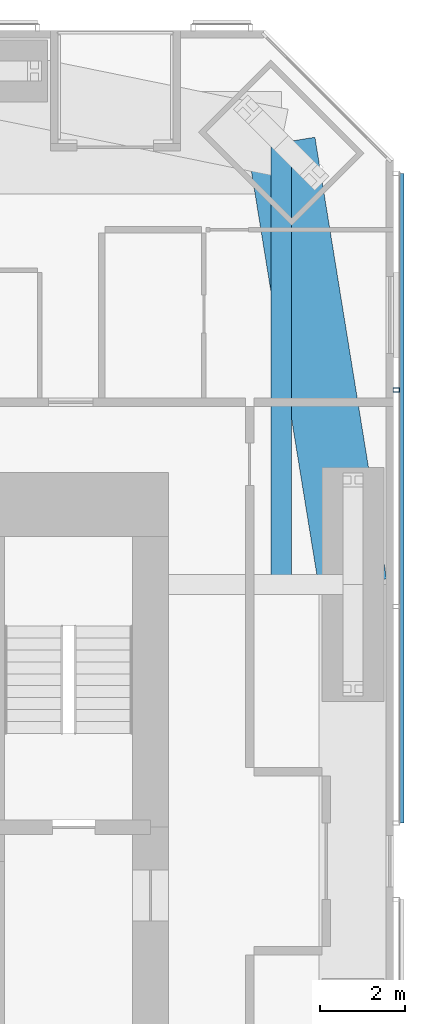
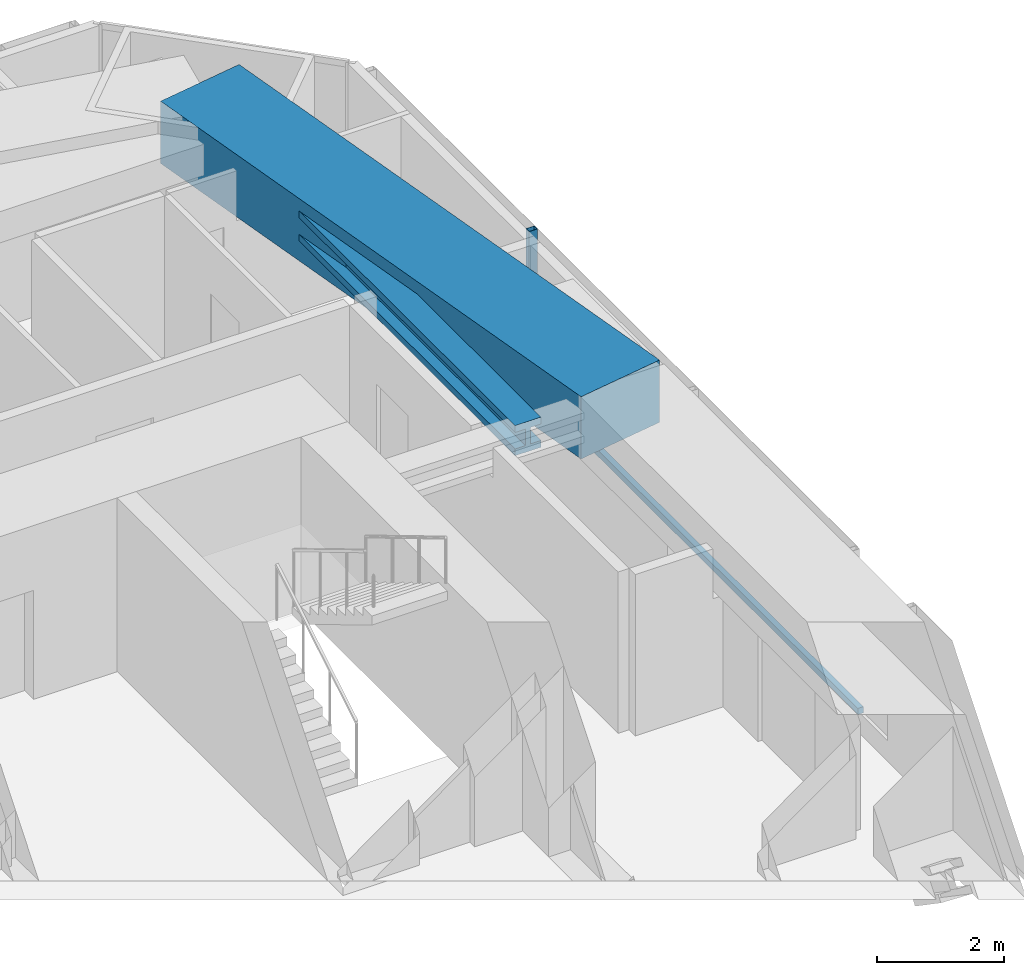
# One storey, part 10 of 23: 2 beams, 2 members, 1 element without a shape of its own.
"""IFC4 building model written with IfcOpenShell, lengths in metres."""

from ifc_helpers import new_model, si_unit, direction, frame, origin, origin_2d, place, context, subcontext, project, spatial, rectangle, hollow_rectangle, i_section, extrude, material, material_profile, profile_set, type_object, element, aggregate, save


model = new_model("IFC4")

# Units and contexts
model_context = context("Model", 3, precision=1e-05, world=origin(), true_north=direction((0.0, 1.0)))
body_context = subcontext(model_context, "Body", "Model", "MODEL_VIEW")
ifc_project = project(units=[si_unit("LENGTHUNIT", "METRE"), si_unit("AREAUNIT", "SQUARE_METRE"), si_unit("VOLUMEUNIT", "CUBIC_METRE"), si_unit("PLANEANGLEUNIT", "RADIAN"), si_unit("MASSUNIT", "GRAM", prefix="KILO")], contexts=[model_context])

# Site, building, storey
site_placement = place(None, origin())
site = spatial("IfcSite", under=ifc_project, at=site_placement, CompositionType="ELEMENT")
building_placement = place(site_placement, origin())
building = spatial("IfcBuilding", under=site, at=building_placement, Name="Jalousie Tower", CompositionType="ELEMENT")
storey_placement = place(building_placement, frame((0.0, 0.0, 88.10009765625)))
storey = spatial("IfcBuildingStorey", under=building, at=storey_placement, Name="L23", CompositionType="ELEMENT", Elevation=88.10009765625)

# Beams
ifc_material_1 = material(Name="Steel ASTM A992 Grade 50", Category="steel")
ifc_material_profile_1 = material_profile(ifc_material_1, i_section(OverallWidth=0.472412109375, OverallDepth=0.5791015625, WebThickness=0.094970703125, FlangeThickness=0.1298828125, at=origin_2d()), Name="W14X808")
ifc_profile_set_1 = profile_set([ifc_material_profile_1], Name="Steel ASTM A992 Grade 50")
beam_type_1 = type_object("IfcBeamType", Name="LEAN COLLECTOR W14X808", PredefinedType="BEAM", material=ifc_profile_set_1)
beam_1_placement = place(storey_placement, frame((46.86865234375, 35.36865234375, 2.8203125), z_axis=(0.0, -1.0, 0.0), x_axis=(1.0, 0.0, 0.0)))
element("IfcBeam", 1, at=beam_1_placement, inside=storey, type_object=beam_type_1, Name="Lean collector under L24", PredefinedType="BEAM", context=body_context, shape_type="SweptSolid", body=[
    extrude(i_section(OverallWidth=0.472412109375, OverallDepth=0.5791015625, WebThickness=0.094970703125, FlangeThickness=0.1298828125, at=origin_2d()), origin(), (0.0, 0.0, 1.0), 10.36865234375),
])
ifc_material_2 = material(Name="Concrete f'c 40 MPa", Category="concrete")
ifc_material_profile_2 = material_profile(ifc_material_2, rectangle(XDim=1.60009765625, YDim=1.199951171875, at=origin_2d()), Name="RC 1600x1200")
ifc_profile_set_2 = profile_set([ifc_material_profile_2], Name="Concrete f'c 40 MPa")
beam_type_2 = type_object("IfcBeamType", Name="RC BEAM 1600x1200", PredefinedType="BEAM", material=ifc_profile_set_2)
beam_2_placement = place(storey_placement, frame((48.550048828125, 25.0, 2.75), z_axis=(-0.160070546476, 0.987105577003, 0.0), x_axis=(-0.987105577003, -0.160070546476, 0.0)))
element("IfcBeam", 2, at=beam_2_placement, inside=storey, type_object=beam_type_2, Name="Edge band beam 07-08 under L24", PredefinedType="BEAM", context=body_context, shape_type="SweptSolid", body=[
    extrude(rectangle(XDim=1.60009765625, YDim=1.199951171875, at=origin_2d()), origin(), (0.0, 0.0, 1.0), 10.504150390625),
])

# Curtain wall, members
ifc_material_3 = material(Name="Perforated aluminium sheet", Category="aluminium")
curtain_wall_type = type_object("IfcCurtainWallType", Name="SOLAR SCREEN SS-1", PredefinedType="USERDEFINED", material=ifc_material_3)
curtain_wall_placement = place(storey_placement, origin())
curtain_wall = element("IfcCurtainWall", 3, at=curtain_wall_placement, inside=storey, type_object=curtain_wall_type, Name="Solar screen L23", ObjectType="SOLAR SCREEN SS-1", PredefinedType="USERDEFINED")
ifc_material_4 = material(Name="Steel ASTM A500 Grade C", Category="steel")
ifc_material_profile_3 = material_profile(ifc_material_4, hollow_rectangle(XDim=0.1015625, YDim=0.15234375, WallThickness=0.00634765625, at=origin_2d()), Name="HSS6X4X1/4")
ifc_profile_set_3 = profile_set([ifc_material_profile_3], Name="Steel ASTM A500 Grade C")
member_type_1 = type_object("IfcMemberType", Name="SOLAR SCREEN SS-1 MULLION", PredefinedType="MULLION", material=ifc_profile_set_3)
member_1_placement = place(storey_placement, frame((49.5712890625, 29.56591796875, -0.1201171875), z_axis=(0.0, 0.0, 1.0), x_axis=(0.0, 1.0, 0.0)))
member_1 = element("IfcMember", 4, at=member_1_placement, type_object=member_type_1, Name="SS1 post 3", PredefinedType="MULLION", context=body_context, shape_type="SweptSolid", body=[
    extrude(hollow_rectangle(XDim=0.1015625, YDim=0.15234375, WallThickness=0.00634765625, at=origin_2d()), origin(), (0.0, 0.0, 1.0), 3.22998046875),
])
ifc_material_5 = material(Name="Extruded aluminium screen rail", Category="aluminium")
ifc_material_profile_4 = material_profile(ifc_material_5, rectangle(XDim=0.1015625, YDim=0.1201171875, at=origin_2d()), Name="RAIL 102x120")
ifc_profile_set_4 = profile_set([ifc_material_profile_4], Name="Extruded aluminium screen rail")
member_type_2 = type_object("IfcMemberType", Name="SOLAR SCREEN SS-1 TRANSOM", PredefinedType="USERDEFINED", material=ifc_profile_set_4)
member_2_placement = place(storey_placement, frame((49.6982421875, 19.39990234375, -0.06005859375), z_axis=(0.0, 1.0, 0.0), x_axis=(-1.0, 0.0, 0.0)))
member_2 = element("IfcMember", 5, at=member_2_placement, type_object=member_type_2, Name="SS1 rail", ObjectType="TRANSOM", PredefinedType="USERDEFINED", context=body_context, shape_type="SweptSolid", body=[
    extrude(rectangle(XDim=0.1015625, YDim=0.1201171875, at=origin_2d()), origin(), (0.0, 0.0, 1.0), 15.248779296875),
])
aggregate(curtain_wall, [member_1, member_2])

save(model, "model.ifc")
